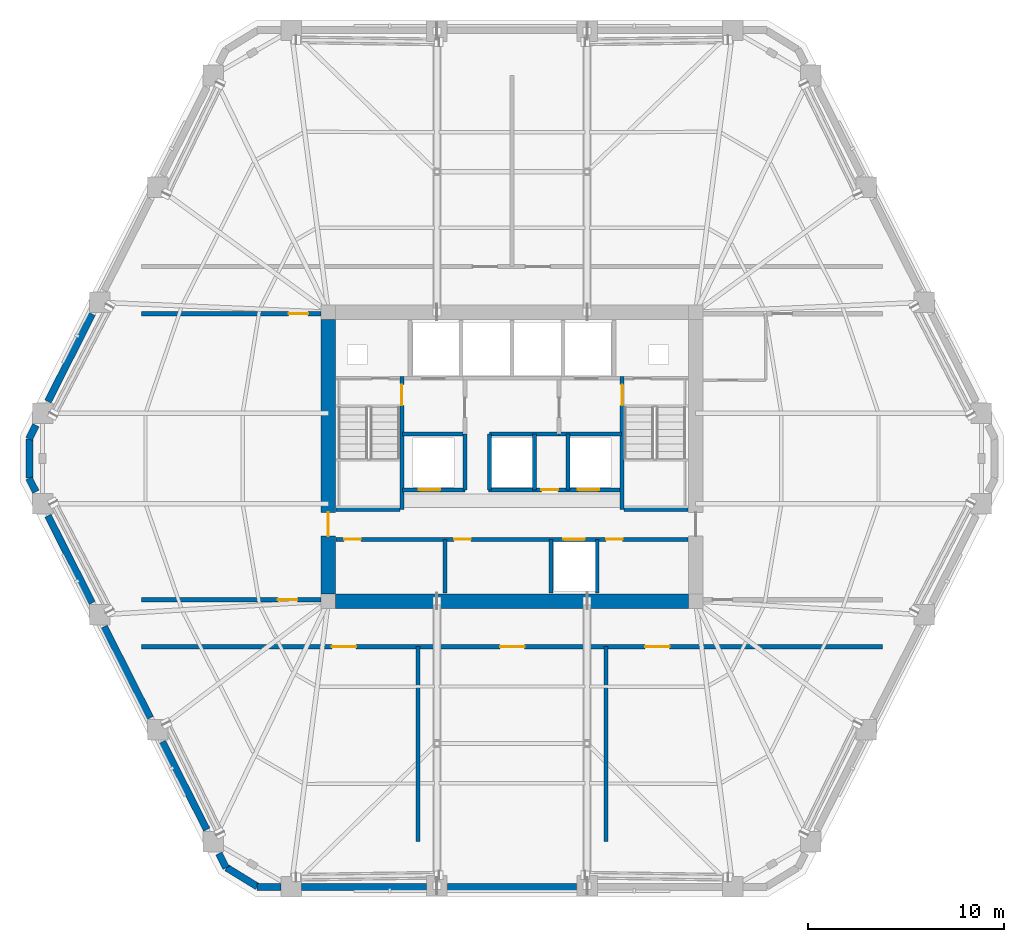
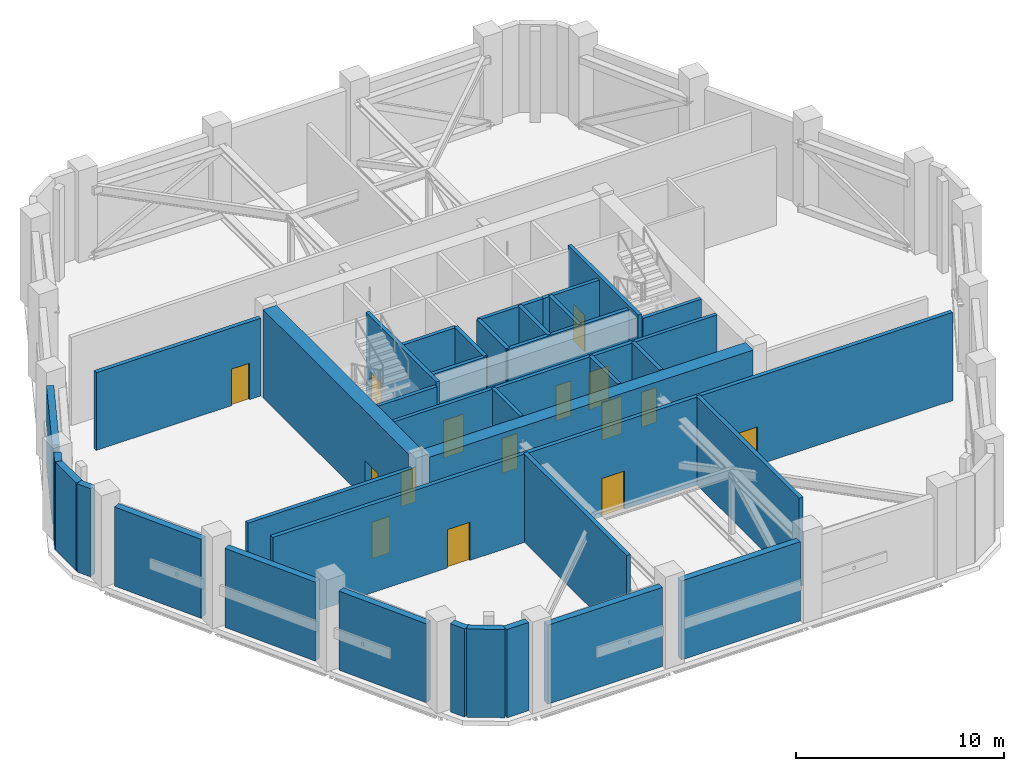
# One storey, part 10 of 15: 36 walls, 15 doors, 15 openings.
"""IFC4 building model written with IfcOpenShell, lengths in metres."""

from ifc_helpers import new_model, si_unit, direction, frame, frame_2d, origin, place, context, subcontext, project, spatial, rectangle, extrude, material, layer, layer_set, type_object, element, fill, save


model = new_model("IFC4")

# Units and contexts
model_context = context("Model", 3, precision=1e-05, world=origin(), true_north=direction((0.0, 1.0)))
body_context = subcontext(model_context, "Body", "Model", "MODEL_VIEW")
ifc_project = project(units=[si_unit("LENGTHUNIT", "METRE"), si_unit("AREAUNIT", "SQUARE_METRE"), si_unit("VOLUMEUNIT", "CUBIC_METRE"), si_unit("PLANEANGLEUNIT", "RADIAN"), si_unit("MASSUNIT", "GRAM", prefix="KILO")], contexts=[model_context])

# Site, building, storey
site_placement = place(None, origin())
site = spatial("IfcSite", under=ifc_project, at=site_placement, CompositionType="ELEMENT")
building_placement = place(site_placement, origin())
building = spatial("IfcBuilding", under=site, at=building_placement, Name="Cinnabar Lancet Tower", CompositionType="ELEMENT")
storey_placement = place(building_placement, frame((0.0, 0.0, 148.10009765625)))
storey = spatial("IfcBuildingStorey", under=building, at=storey_placement, Name="L39", CompositionType="ELEMENT", Elevation=148.10009765625)

# Wall, opening, door
ifc_material_1 = material(Name="Acoustic masonry plant room wall", Category="masonry")
ifc_layer_1 = layer(ifc_material_1, 0.219970703125)
ifc_layer_set_1 = layer_set([ifc_layer_1], Name="Acoustic masonry plant room wall")
wall_type_1 = type_object("IfcWallType", Name="ARC-WL-PLANT-220", PredefinedType="PARTITIONING", material=ifc_layer_set_1)
wall_1_placement = place(storey_placement, frame((13.487060546875, 18.60009765625, 0.0), z_axis=(0.0, 0.0, 1.0), x_axis=(1.0, 0.0, 0.0)))
wall_1 = element("IfcWall", 1, at=wall_1_placement, inside=storey, type_object=wall_type_1, Name="PW-L39-RFWS", PredefinedType="PARTITIONING", context=body_context, shape_type="SweptSolid", body=[
    extrude(rectangle(XDim=9.162841796875, YDim=0.219970703125, at=frame_2d((4.58154296875, 0.0))), origin(), (0.0, 0.0, 1.0), 4.572021484375),
])
opening_1_placement = place(wall_1_placement, frame((6.962890625, 0.0, 0.0)))
opening_1 = element("IfcOpeningElement", 2, at=opening_1_placement, cuts=wall_1, Name="Opening FD-01", PredefinedType="OPENING", context=body_context, shape_type="SweptSolid", body=[
    extrude(rectangle(XDim=1.0, YDim=2.14990234375, at=frame_2d((0.5, 1.074951171875))), frame((0.0, 0.119873046875, 0.0), z_axis=(0.0, -1.0, 0.0), x_axis=(1.0, 0.0, 0.0)), (0.0, 0.0, 1.0), 0.239990234375),
])
ifc_material_2 = material(Name="Fire-rated timber-core lobby door", Category="wood")
door_type_1 = type_object("IfcDoorType", Name="ARC-DR-FFAL", OperationType="NOTDEFINED", PredefinedType="DOOR", material=ifc_material_2)
door_1_placement = place(opening_1_placement, origin())
door_1 = element("IfcDoor", 3, at=door_1_placement, inside=storey, type_object=door_type_1, Name="L39 Plant Corridor Fire Door RWS", OperationType="SINGLE_SWING_LEFT", OverallHeight=2.14990234375, OverallWidth=1.0, PredefinedType="DOOR", context=body_context, shape_type="SweptSolid", body=[
    extrude(rectangle(XDim=1.0, YDim=2.14990234375, at=frame_2d((0.5, 1.074951171875))), frame((0.0, 0.02490234375, 0.0), z_axis=(0.0, -1.0, 0.0), x_axis=(1.0, 0.0, 0.0)), (0.0, 0.0, 1.0), 0.050048828125),
])
fill(opening_1, door_1)

wall_2_placement = place(storey_placement, frame((13.487060546875, 33.199951171875, 0.0), z_axis=(0.0, 0.0, 1.0), x_axis=(1.0, 0.0, 0.0)))
wall_2 = element("IfcWall", 4, at=wall_2_placement, inside=storey, type_object=wall_type_1, Name="PW-L39-RFWN", PredefinedType="PARTITIONING", context=body_context, shape_type="SweptSolid", body=[
    extrude(rectangle(XDim=9.162841796875, YDim=0.219970703125, at=frame_2d((4.58154296875, 0.0))), origin(), (0.0, 0.0, 1.0), 4.572021484375),
])
opening_2_placement = place(wall_2_placement, frame((7.512939453125, 0.0, 0.0)))
opening_2 = element("IfcOpeningElement", 5, at=opening_2_placement, cuts=wall_2, Name="Opening FD-01", PredefinedType="OPENING", context=body_context, shape_type="SweptSolid", body=[
    extrude(rectangle(XDim=1.0, YDim=2.14990234375, at=frame_2d((0.5, 1.074951171875))), frame((0.0, 0.119873046875, 0.0), z_axis=(0.0, -1.0, 0.0), x_axis=(1.0, 0.0, 0.0)), (0.0, 0.0, 1.0), 0.239990234375),
])
door_2_placement = place(opening_2_placement, origin())
door_2 = element("IfcDoor", 6, at=door_2_placement, inside=storey, type_object=door_type_1, Name="L39 Plant Corridor Fire Door RWN", OperationType="SINGLE_SWING_LEFT", OverallHeight=2.14990234375, OverallWidth=1.0, PredefinedType="DOOR", context=body_context, shape_type="SweptSolid", body=[
    extrude(rectangle(XDim=1.0, YDim=2.14990234375, at=frame_2d((0.5, 1.074951171875))), frame((0.0, 0.02490234375, 0.0), z_axis=(0.0, -1.0, 0.0), x_axis=(1.0, 0.0, 0.0)), (0.0, 0.0, 1.0), 0.050048828125),
])
fill(opening_2, door_2)

# Wall, openings, doors
wall_3_placement = place(storey_placement, frame((13.487060546875, 16.199951171875, 0.0), z_axis=(0.0, 0.0, 1.0), x_axis=(1.0, 0.0, 0.0)))
wall_3 = element("IfcWall", 7, at=wall_3_placement, inside=storey, type_object=wall_type_1, Name="PW-L39-SPLS", PredefinedType="PARTITIONING", context=body_context, shape_type="SweptSolid", body=[
    extrude(rectangle(XDim=37.825927734375, YDim=0.219970703125, at=frame_2d((18.9130859375, 0.0))), origin(), (0.0, 0.0, 1.0), 5.18994140625),
])
opening_3_placement = place(wall_3_placement, frame((9.712890625, 0.0, 0.0)))
opening_3 = element("IfcOpeningElement", 8, at=opening_3_placement, cuts=wall_3, Name="Opening PD-01", PredefinedType="OPENING", context=body_context, shape_type="SweptSolid", body=[
    extrude(rectangle(XDim=1.25, YDim=2.25, at=frame_2d((0.625, 1.125))), frame((0.0, 0.119873046875, 0.0), z_axis=(0.0, -1.0, 0.0), x_axis=(1.0, 0.0, 0.0)), (0.0, 0.0, 1.0), 0.239990234375),
])
opening_4_placement = place(wall_3_placement, frame((18.31298828125, 0.0, 0.0)))
opening_4 = element("IfcOpeningElement", 9, at=opening_4_placement, cuts=wall_3, Name="Opening PD-01", PredefinedType="OPENING", context=body_context, shape_type="SweptSolid", body=[
    extrude(rectangle(XDim=1.25, YDim=2.25, at=frame_2d((0.625, 1.125))), frame((0.0, 0.119873046875, 0.0), z_axis=(0.0, -1.0, 0.0), x_axis=(1.0, 0.0, 0.0)), (0.0, 0.0, 1.0), 0.239990234375),
])
opening_5_placement = place(wall_3_placement, frame((25.712890625, 0.0, 0.0)))
opening_5 = element("IfcOpeningElement", 10, at=opening_5_placement, cuts=wall_3, Name="Opening PD-01", PredefinedType="OPENING", context=body_context, shape_type="SweptSolid", body=[
    extrude(rectangle(XDim=1.25, YDim=2.25, at=frame_2d((0.625, 1.125))), frame((0.0, 0.119873046875, 0.0), z_axis=(0.0, -1.0, 0.0), x_axis=(1.0, 0.0, 0.0)), (0.0, 0.0, 1.0), 0.239990234375),
])
ifc_material_3 = material(Name="Louvred fire-rated steel plant room double door", Category="steel")
door_type_2 = type_object("IfcDoorType", Name="ARC-DR-PLANT", OperationType="NOTDEFINED", PredefinedType="DOOR", material=ifc_material_3)
door_3_placement = place(opening_3_placement, origin())
door_3 = element("IfcDoor", 11, at=door_3_placement, inside=storey, type_object=door_type_2, Name="DR-L39-SPL1", OperationType="SINGLE_SWING_LEFT", OverallHeight=2.25, OverallWidth=1.25, PredefinedType="DOOR", context=body_context, shape_type="SweptSolid", body=[
    extrude(rectangle(XDim=1.25, YDim=2.25, at=frame_2d((0.625, 1.125))), frame((0.0, 0.02490234375, 0.0), z_axis=(0.0, -1.0, 0.0), x_axis=(1.0, 0.0, 0.0)), (0.0, 0.0, 1.0), 0.050048828125),
])
fill(opening_3, door_3)
door_4_placement = place(opening_4_placement, origin())
door_4 = element("IfcDoor", 12, at=door_4_placement, inside=storey, type_object=door_type_2, Name="DR-L39-SPL2", OperationType="SINGLE_SWING_LEFT", OverallHeight=2.25, OverallWidth=1.25, PredefinedType="DOOR", context=body_context, shape_type="SweptSolid", body=[
    extrude(rectangle(XDim=1.25, YDim=2.25, at=frame_2d((0.625, 1.125))), frame((0.0, 0.02490234375, 0.0), z_axis=(0.0, -1.0, 0.0), x_axis=(1.0, 0.0, 0.0)), (0.0, 0.0, 1.0), 0.050048828125),
])
fill(opening_4, door_4)
door_5_placement = place(opening_5_placement, origin())
door_5 = element("IfcDoor", 13, at=door_5_placement, inside=storey, type_object=door_type_2, Name="DR-L39-SPL3", OperationType="SINGLE_SWING_LEFT", OverallHeight=2.25, OverallWidth=1.25, PredefinedType="DOOR", context=body_context, shape_type="SweptSolid", body=[
    extrude(rectangle(XDim=1.25, YDim=2.25, at=frame_2d((0.625, 1.125))), frame((0.0, 0.02490234375, 0.0), z_axis=(0.0, -1.0, 0.0), x_axis=(1.0, 0.0, 0.0)), (0.0, 0.0, 1.0), 0.050048828125),
])
fill(opening_5, door_5)

# Walls
for number, where, z_axis, x_axis, name in (
    (14, (27.60009765625, 6.25, 0.0), (0.0, 0.0, 1.0), (0.0, 1.0, 0.0), "PW-L39-SDIV-27"),
    (15, (37.199951171875, 6.25, 0.0), (0.0, 0.0, 1.0), (0.0, 1.0, 0.0), "PW-L39-SDIV-37"),
):
    element("IfcWall", number, at=place(storey_placement, frame(where, z_axis=z_axis, x_axis=x_axis)), inside=storey, type_object=wall_type_1, Name=name, PredefinedType="PARTITIONING", context=body_context, shape_type="SweptSolid", body=[
        extrude(rectangle(XDim=9.949951171875, YDim=0.219970703125, at=frame_2d((4.97509765625, 0.0))), origin(), (0.0, 0.0, 1.0), 5.18994140625),
    ])
ifc_material_4 = material(Name="Autoclaved aerated concrete blockwork", Category="masonry")
ifc_layer_2 = layer(ifc_material_4, 0.199951171875)
ifc_layer_set_2 = layer_set([ifc_layer_2], Name="Autoclaved aerated concrete blockwork")
wall_type_2 = type_object("IfcWallType", Name="ARC-WL-SHAFT-200", PredefinedType="PLUMBINGWALL", material=ifc_layer_set_2)
for number, where, z_axis, x_axis, name in (
    (16, (23.405029296875, 23.199951171875, 0.0), (0.0, 0.0, 1.0), (1.0, 0.0, 0.0), "CW-ST1S-L39"),
    (17, (38.125, 23.199951171875, 0.0), (0.0, 0.0, 1.0), (1.0, 0.0, 0.0), "CW-ST2S-L39"),
):
    element("IfcWall", number, at=place(storey_placement, frame(where, z_axis=z_axis, x_axis=x_axis)), inside=storey, type_object=wall_type_2, Name=name, PredefinedType="PLUMBINGWALL", context=body_context, shape_type="SweptSolid", body=[
        extrude(rectangle(XDim=3.27001953125, YDim=0.199951171875, at=frame_2d((1.635009765625, 0.0))), origin(), (0.0, 0.0, 1.0), 5.18994140625),
    ])
for number, where, z_axis, x_axis, name in (
    (18, (26.800048828125, 27.050048828125, 0.0), (0.0, 0.0, 1.0), (1.0, 0.0, 0.0), "CW-FF1S-L39"),
    (19, (34.800048828125, 27.050048828125, 0.0), (0.0, 0.0, 1.0), (1.0, 0.0, 0.0), "CW-FF2S-L39"),
):
    element("IfcWall", number, at=place(storey_placement, frame(where, z_axis=z_axis, x_axis=x_axis)), inside=storey, type_object=wall_type_2, Name=name, PredefinedType="PLUMBINGWALL", context=body_context, shape_type="SweptSolid", body=[
        extrude(rectangle(XDim=3.199951171875, YDim=0.199951171875, at=frame_2d((1.60009765625, 0.0))), origin(), (0.0, 0.0, 1.0), 5.18994140625),
    ])

# Wall, opening, door
wall_4_placement = place(storey_placement, frame((26.800048828125, 24.199951171875, 0.0), z_axis=(0.0, 0.0, 1.0), x_axis=(1.0, 0.0, 0.0)))
wall_4 = element("IfcWall", 20, at=wall_4_placement, inside=storey, type_object=wall_type_2, Name="CW-PL5S-L39", PredefinedType="PLUMBINGWALL", context=body_context, shape_type="SweptSolid", body=[
    extrude(rectangle(XDim=3.199951171875, YDim=0.199951171875, at=frame_2d((1.60009765625, 0.0))), origin(), (0.0, 0.0, 1.0), 5.18994140625),
])
opening_6_placement = place(wall_4_placement, frame((0.85009765625, 0.0, 0.0)))
opening_6 = element("IfcOpeningElement", 21, at=opening_6_placement, cuts=wall_4, Name="Opening LD-01", PredefinedType="OPENING", context=body_context, shape_type="SweptSolid", body=[
    extrude(rectangle(XDim=1.10009765625, YDim=2.199951171875, at=frame_2d((0.550048828125, 1.10009765625))), frame((0.0, 0.10986328125, 0.0), z_axis=(0.0, -1.0, 0.0), x_axis=(1.0, 0.0, 0.0)), (0.0, 0.0, 1.0), 0.219970703125),
])
ifc_material_5 = material(Name="Brushed stainless steel sliding lift door", Category="steel")
door_type_3 = type_object("IfcDoorType", Name="ARC-DR-LD-PASS", OperationType="NOTDEFINED", PredefinedType="DOOR", material=ifc_material_5)
door_6_placement = place(opening_6_placement, origin())
door_6 = element("IfcDoor", 22, at=door_6_placement, inside=storey, type_object=door_type_3, Name="L39 Lift PL-5 Landing Door", OperationType="DOUBLE_DOOR_SLIDING", OverallHeight=2.199951171875, OverallWidth=1.10009765625, PredefinedType="DOOR", context=body_context, shape_type="SweptSolid", body=[
    extrude(rectangle(XDim=1.10009765625, YDim=2.199951171875, at=frame_2d((0.550048828125, 1.10009765625))), frame((0.0, 0.02490234375, 0.0), z_axis=(0.0, -1.0, 0.0), x_axis=(1.0, 0.0, 0.0)), (0.0, 0.0, 1.0), 0.050048828125),
])
fill(opening_6, door_6)

# Wall
wall_5_placement = place(storey_placement, frame((30.0, 24.199951171875, 0.0), z_axis=(0.0, 0.0, 1.0), x_axis=(0.0, 1.0, 0.0)))
element("IfcWall", 23, at=wall_5_placement, inside=storey, type_object=wall_type_2, Name="CW-PL5E-L39", PredefinedType="PLUMBINGWALL", context=body_context, shape_type="SweptSolid", body=[
    extrude(rectangle(XDim=2.85009765625, YDim=0.199951171875, at=frame_2d((1.425048828125, 0.0))), origin(), (0.0, 0.0, 1.0), 5.18994140625),
])

# Wall, openings, doors
wall_6_placement = place(storey_placement, frame((31.199951171875, 24.199951171875, 0.0), z_axis=(0.0, 0.0, 1.0), x_axis=(1.0, 0.0, 0.0)))
wall_6 = element("IfcWall", 24, at=wall_6_placement, inside=storey, type_object=wall_type_2, Name="CW-PL96S-L39", PredefinedType="PLUMBINGWALL", context=body_context, shape_type="SweptSolid", body=[
    extrude(rectangle(XDim=6.800048828125, YDim=0.199951171875, at=frame_2d((3.39990234375, 0.0))), origin(), (0.0, 0.0, 1.0), 5.18994140625),
])
opening_7_placement = place(wall_6_placement, frame((2.699951171875, 0.0, 0.0)))
opening_7 = element("IfcOpeningElement", 25, at=opening_7_placement, cuts=wall_6, Name="Opening PD-02", PredefinedType="OPENING", context=body_context, shape_type="SweptSolid", body=[
    extrude(rectangle(XDim=0.85009765625, YDim=2.050048828125, at=frame_2d((0.425048828125, 1.02490234375))), frame((0.0, 0.10986328125, 0.0), z_axis=(0.0, -1.0, 0.0), x_axis=(1.0, 0.0, 0.0)), (0.0, 0.0, 1.0), 0.219970703125),
])
opening_8_placement = place(wall_6_placement, frame((4.550048828125, 0.0, 0.0)))
opening_8 = element("IfcOpeningElement", 26, at=opening_8_placement, cuts=wall_6, Name="Opening LD-01", PredefinedType="OPENING", context=body_context, shape_type="SweptSolid", body=[
    extrude(rectangle(XDim=1.10009765625, YDim=2.199951171875, at=frame_2d((0.550048828125, 1.10009765625))), frame((0.0, 0.10986328125, 0.0), z_axis=(0.0, -1.0, 0.0), x_axis=(1.0, 0.0, 0.0)), (0.0, 0.0, 1.0), 0.219970703125),
])
door_7_placement = place(opening_8_placement, origin())
door_7 = element("IfcDoor", 27, at=door_7_placement, inside=storey, type_object=door_type_3, Name="L39 Lift PL-6 Landing Door", OperationType="DOUBLE_DOOR_SLIDING", OverallHeight=2.199951171875, OverallWidth=1.10009765625, PredefinedType="DOOR", context=body_context, shape_type="SweptSolid", body=[
    extrude(rectangle(XDim=1.10009765625, YDim=2.199951171875, at=frame_2d((0.550048828125, 1.10009765625))), frame((0.0, 0.02490234375, 0.0), z_axis=(0.0, -1.0, 0.0), x_axis=(1.0, 0.0, 0.0)), (0.0, 0.0, 1.0), 0.050048828125),
])
fill(opening_8, door_7)
ifc_material_6 = material(Name="Fire-rated steel riser access door", Category="steel")
door_type_4 = type_object("IfcDoorType", Name="ARC-DR-RISER", OperationType="NOTDEFINED", PredefinedType="DOOR", material=ifc_material_6)
door_8_placement = place(opening_7_placement, origin())
door_8 = element("IfcDoor", 28, at=door_8_placement, inside=storey, type_object=door_type_4, Name="L39 BMS Closet Door", OperationType="SINGLE_SWING_LEFT", OverallHeight=2.050048828125, OverallWidth=0.85009765625, PredefinedType="DOOR", context=body_context, shape_type="SweptSolid", body=[
    extrude(rectangle(XDim=0.85009765625, YDim=2.050048828125, at=frame_2d((0.425048828125, 1.02490234375))), frame((0.0, 0.02490234375, 0.0), z_axis=(0.0, -1.0, 0.0), x_axis=(1.0, 0.0, 0.0)), (0.0, 0.0, 1.0), 0.050048828125),
])
fill(opening_7, door_8)

# Walls
for number, where, z_axis, x_axis, name in (
    (29, (31.25, 24.199951171875, 0.0), (0.0, 0.0, 1.0), (0.0, 1.0, 0.0), "CW-PL9W-L39"),
    (30, (33.550048828125, 24.199951171875, 0.0), (0.0, 0.0, 1.0), (0.0, 1.0, 0.0), "CW-PL9E-L39"),
    (31, (35.25, 24.199951171875, 0.0), (0.0, 0.0, 1.0), (0.0, 1.0, 0.0), "CW-PL6W-L39"),
):
    element("IfcWall", number, at=place(storey_placement, frame(where, z_axis=z_axis, x_axis=x_axis)), inside=storey, type_object=wall_type_2, Name=name, PredefinedType="PLUMBINGWALL", context=body_context, shape_type="SweptSolid", body=[
        extrude(rectangle(XDim=2.85009765625, YDim=0.199951171875, at=frame_2d((1.425048828125, 0.0))), origin(), (0.0, 0.0, 1.0), 5.18994140625),
    ])
wall_7_placement = place(storey_placement, frame((31.25, 27.050048828125, 0.0), z_axis=(0.0, 0.0, 1.0), x_axis=(1.0, 0.0, 0.0)))
element("IfcWall", 32, at=wall_7_placement, inside=storey, type_object=wall_type_2, Name="CW-PL96N-L39", PredefinedType="PLUMBINGWALL", context=body_context, shape_type="SweptSolid", body=[
    extrude(rectangle(XDim=3.550048828125, YDim=0.199951171875, at=frame_2d((1.77490234375, 0.0))), origin(), (0.0, 0.0, 1.0), 5.18994140625),
])

# Wall, openings, doors
wall_8_placement = place(storey_placement, frame((23.419921875, 21.679931640625, 0.0), z_axis=(0.0, 0.0, 1.0), x_axis=(1.0, 0.0, 0.0)))
wall_8 = element("IfcWall", 33, at=wall_8_placement, inside=storey, type_object=wall_type_2, Name="CW-SBANDN-L39", PredefinedType="PLUMBINGWALL", context=body_context, shape_type="SweptSolid", body=[
    extrude(rectangle(XDim=17.9599609375, YDim=0.199951171875, at=frame_2d((8.97998046875, 0.0))), origin(), (0.0, 0.0, 1.0), 5.18994140625),
])
opening_9_placement = place(wall_8_placement, frame((11.60009765625, 0.0, 0.0)))
opening_9 = element("IfcOpeningElement", 34, at=opening_9_placement, cuts=wall_8, Name="Opening LD-01", PredefinedType="OPENING", context=body_context, shape_type="SweptSolid", body=[
    extrude(rectangle(XDim=1.10009765625, YDim=2.199951171875, at=frame_2d((0.550048828125, 1.10009765625))), frame((0.0, 0.10986328125, 0.0), z_axis=(0.0, -1.0, 0.0), x_axis=(1.0, 0.0, 0.0)), (0.0, 0.0, 1.0), 0.219970703125),
])
opening_10_placement = place(wall_8_placement, frame((0.409912109375, 0.0, 0.0)))
opening_10 = element("IfcOpeningElement", 35, at=opening_10_placement, cuts=wall_8, Name="Opening PD-02", PredefinedType="OPENING", context=body_context, shape_type="SweptSolid", body=[
    extrude(rectangle(XDim=0.85009765625, YDim=2.050048828125, at=frame_2d((0.425048828125, 1.02490234375))), frame((0.0, 0.10986328125, 0.0), z_axis=(0.0, -1.0, 0.0), x_axis=(1.0, 0.0, 0.0)), (0.0, 0.0, 1.0), 0.219970703125),
])
opening_11_placement = place(wall_8_placement, frame((6.030029296875, 0.0, 0.0)))
opening_11 = element("IfcOpeningElement", 36, at=opening_11_placement, cuts=wall_8, Name="Opening PD-02", PredefinedType="OPENING", context=body_context, shape_type="SweptSolid", body=[
    extrude(rectangle(XDim=0.85009765625, YDim=2.050048828125, at=frame_2d((0.425048828125, 1.02490234375))), frame((0.0, 0.10986328125, 0.0), z_axis=(0.0, -1.0, 0.0), x_axis=(1.0, 0.0, 0.0)), (0.0, 0.0, 1.0), 0.219970703125),
])
opening_12_placement = place(wall_8_placement, frame((13.780029296875, 0.0, 0.0)))
opening_12 = element("IfcOpeningElement", 37, at=opening_12_placement, cuts=wall_8, Name="Opening PD-02", PredefinedType="OPENING", context=body_context, shape_type="SweptSolid", body=[
    extrude(rectangle(XDim=0.85009765625, YDim=2.050048828125, at=frame_2d((0.425048828125, 1.02490234375))), frame((0.0, 0.10986328125, 0.0), z_axis=(0.0, -1.0, 0.0), x_axis=(1.0, 0.0, 0.0)), (0.0, 0.0, 1.0), 0.219970703125),
])
door_9_placement = place(opening_9_placement, origin())
door_9 = element("IfcDoor", 38, at=door_9_placement, inside=storey, type_object=door_type_3, Name="L39 Lift PL-4 Landing Door", OperationType="DOUBLE_DOOR_SLIDING", OverallHeight=2.199951171875, OverallWidth=1.10009765625, PredefinedType="DOOR", context=body_context, shape_type="SweptSolid", body=[
    extrude(rectangle(XDim=1.10009765625, YDim=2.199951171875, at=frame_2d((0.550048828125, 1.10009765625))), frame((0.0, 0.02490234375, 0.0), z_axis=(0.0, -1.0, 0.0), x_axis=(1.0, 0.0, 0.0)), (0.0, 0.0, 1.0), 0.050048828125),
])
fill(opening_9, door_9)
door_10_placement = place(opening_10_placement, origin())
door_10 = element("IfcDoor", 39, at=door_10_placement, inside=storey, type_object=door_type_4, Name="DR-L39-MREC1", OperationType="SINGLE_SWING_LEFT", OverallHeight=2.050048828125, OverallWidth=0.85009765625, PredefinedType="DOOR", context=body_context, shape_type="SweptSolid", body=[
    extrude(rectangle(XDim=0.85009765625, YDim=2.050048828125, at=frame_2d((0.425048828125, 1.02490234375))), frame((0.0, 0.02490234375, 0.0), z_axis=(0.0, -1.0, 0.0), x_axis=(1.0, 0.0, 0.0)), (0.0, 0.0, 1.0), 0.050048828125),
])
fill(opening_10, door_10)
door_11_placement = place(opening_11_placement, origin())
door_11 = element("IfcDoor", 40, at=door_11_placement, inside=storey, type_object=door_type_4, Name="DR-L39-MREC2", OperationType="SINGLE_SWING_RIGHT", OverallHeight=2.050048828125, OverallWidth=0.85009765625, PredefinedType="DOOR", context=body_context, shape_type="SweptSolid", body=[
    extrude(rectangle(XDim=0.85009765625, YDim=2.050048828125, at=frame_2d((0.425048828125, 1.02490234375))), frame((0.0, 0.02490234375, 0.0), z_axis=(0.0, -1.0, 0.0), x_axis=(1.0, 0.0, 0.0)), (0.0, 0.0, 1.0), 0.050048828125),
])
fill(opening_11, door_11)
door_12_placement = place(opening_12_placement, origin())
door_12 = element("IfcDoor", 41, at=door_12_placement, inside=storey, type_object=door_type_4, Name="DR-L39-MREC3", OperationType="SINGLE_SWING_LEFT", OverallHeight=2.050048828125, OverallWidth=0.85009765625, PredefinedType="DOOR", context=body_context, shape_type="SweptSolid", body=[
    extrude(rectangle(XDim=0.85009765625, YDim=2.050048828125, at=frame_2d((0.425048828125, 1.02490234375))), frame((0.0, 0.02490234375, 0.0), z_axis=(0.0, -1.0, 0.0), x_axis=(1.0, 0.0, 0.0)), (0.0, 0.0, 1.0), 0.050048828125),
])
fill(opening_12, door_12)

# Walls
for number, where, z_axis, x_axis, name in (
    (42, (34.39990234375, 18.949951171875, 0.0), (0.0, 0.0, 1.0), (0.0, 1.0, 0.0), "CW-SB-3440-L39"),
    (43, (36.75, 18.949951171875, 0.0), (0.0, 0.0, 1.0), (0.0, 1.0, 0.0), "CW-SB-3675-L39"),
    (44, (28.989990234375, 18.949951171875, 0.0), (0.0, 0.0, 1.0), (0.0, 1.0, 0.0), "CW-SB-2899-L39"),
):
    element("IfcWall", number, at=place(storey_placement, frame(where, z_axis=z_axis, x_axis=x_axis)), inside=storey, type_object=wall_type_2, Name=name, PredefinedType="PLUMBINGWALL", context=body_context, shape_type="SweptSolid", body=[
        extrude(rectangle(XDim=2.72998046875, YDim=0.199951171875, at=frame_2d((1.364990234375, 0.0))), origin(), (0.0, 0.0, 1.0), 5.18994140625),
    ])
ifc_material_7 = material(Name="Dark charcoal engineering brick", Category="masonry")
ifc_layer_3 = layer(ifc_material_7, 0.360107421875)
ifc_layer_set_3 = layer_set([ifc_layer_3], Name="Dark charcoal engineering brick")
wall_type_3 = type_object("IfcWallType", Name="ENV-WL-BRK-CHR-360", PredefinedType="STANDARD", material=ifc_layer_set_3)
wall_9_placement = place(storey_placement, frame((17.8310546875, 4.9208984375, 0.0), z_axis=(0.0, 0.0, 1.0), x_axis=(0.852185740604, -0.523239394075, 0.0)))
element("IfcWall", 45, at=wall_9_placement, inside=storey, type_object=wall_type_3, Name="L39 Chamfered Corner Brick Pier 1.1", PredefinedType="STANDARD", context=body_context, shape_type="SweptSolid", body=[
    extrude(rectangle(XDim=1.842041015625, YDim=0.360107421875, at=frame_2d((0.9208984375, 0.0))), origin(), (0.0, 0.0, 1.0), 5.18994140625),
])
wall_10_placement = place(storey_placement, frame((7.76708984375, 26.7939453125, 0.0), z_axis=(0.0, 0.0, 1.0), x_axis=(0.0, -1.0, 0.0)))
element("IfcWall", 46, at=wall_10_placement, inside=storey, type_object=wall_type_3, Name="L39 Chamfered Corner Brick Pier 6.1", PredefinedType="STANDARD", context=body_context, shape_type="SweptSolid", body=[
    extrude(rectangle(XDim=1.988037109375, YDim=0.360107421875, at=frame_2d((0.994140625, 0.0))), origin(), (0.0, 0.0, 1.0), 5.18994140625),
])
wall_11_placement = place(storey_placement, frame((19.39501953125, 3.929931640625, 0.0), z_axis=(0.0, 0.0, 1.0), x_axis=(1.0, 0.0, 0.0)))
element("IfcWall", 47, at=wall_11_placement, inside=storey, type_object=wall_type_3, Name="L39 Face 1 Masonry Bay Wall 1", PredefinedType="STANDARD", context=body_context, shape_type="SweptSolid", body=[
    extrude(rectangle(XDim=1.20703125, YDim=0.360107421875, at=frame_2d((0.603515625, 0.0))), origin(), (0.0, 0.0, 1.0), 5.18994140625),
])
wall_12_placement = place(storey_placement, frame((21.659912109375, 3.929931640625, 0.0), z_axis=(0.0, 0.0, 1.0), x_axis=(1.0, 0.0, 0.0)))
element("IfcWall", 48, at=wall_12_placement, inside=storey, type_object=wall_type_3, Name="L39 Face 1 Masonry Bay Wall 2", PredefinedType="STANDARD", context=body_context, shape_type="SweptSolid", body=[
    extrude(rectangle(XDim=6.379150390625, YDim=0.360107421875, at=frame_2d((3.189453125, 0.0))), origin(), (0.0, 0.0, 1.0), 4.64697265625),
])
wall_13_placement = place(storey_placement, frame((29.096923828125, 3.929931640625, 0.0), z_axis=(0.0, 0.0, 1.0), x_axis=(1.0, 0.0, 0.0)))
element("IfcWall", 49, at=wall_13_placement, inside=storey, type_object=wall_type_3, Name="L39 Face 1 Masonry Bay Wall 3", PredefinedType="STANDARD", context=body_context, shape_type="SweptSolid", body=[
    extrude(rectangle(XDim=6.60595703125, YDim=0.360107421875, at=frame_2d((3.302978515625, 0.0))), origin(), (0.0, 0.0, 1.0), 4.64697265625),
])
wall_14_placement = place(storey_placement, frame((10.968017578125, 33.172119140625, 0.0), z_axis=(0.0, 0.0, 1.0), x_axis=(-0.45143530451, -0.892303852867, 0.0)))
element("IfcWall", 50, at=wall_14_placement, inside=storey, type_object=wall_type_3, Name="L39 Face 5 Masonry Bay Wall 4", PredefinedType="STANDARD", context=body_context, shape_type="SweptSolid", body=[
    extrude(rectangle(XDim=4.990478515625, YDim=0.360107421875, at=frame_2d((2.4951171875, 0.0))), origin(), (0.0, 0.0, 1.0), 4.64697265625),
])
for number, where, z_axis, x_axis, name in (
    (51, (8.097900390625, 27.4990234375, 0.0), (0.0, 0.0, 1.0), (-0.451080269271, -0.892483383977, 0.0), "L39 Face 5 Masonry Bay Wall 5"),
    (52, (7.7451171875, 24.799072265625, 0.0), (0.0, 0.0, 1.0), (0.451080269271, -0.892483383977, 0.0), "L39 Face 6 Masonry Bay Wall 1"),
):
    element("IfcWall", number, at=place(storey_placement, frame(where, z_axis=z_axis, x_axis=x_axis)), inside=storey, type_object=wall_type_3, Name=name, PredefinedType="STANDARD", context=body_context, shape_type="SweptSolid", body=[
        extrude(rectangle(XDim=0.781982421875, YDim=0.360107421875, at=frame_2d((0.39111328125, 0.0))), origin(), (0.0, 0.0, 1.0), 5.18994140625),
    ])
wall_15_placement = place(storey_placement, frame((8.715087890625, 22.881103515625, 0.0), z_axis=(0.0, 0.0, 1.0), x_axis=(0.45143530451, -0.892303852867, 0.0)))
element("IfcWall", 53, at=wall_15_placement, inside=storey, type_object=wall_type_3, Name="L39 Face 6 Masonry Bay Wall 2", PredefinedType="STANDARD", context=body_context, shape_type="SweptSolid", body=[
    extrude(rectangle(XDim=4.990478515625, YDim=0.360107421875, at=frame_2d((2.4951171875, 0.0))), origin(), (0.0, 0.0, 1.0), 4.64697265625),
])
wall_16_placement = place(storey_placement, frame((11.58203125, 17.214111328125, 0.0), z_axis=(0.0, 0.0, 1.0), x_axis=(0.451422282023, -0.892310441098, 0.0)))
element("IfcWall", 54, at=wall_16_placement, inside=storey, type_object=wall_type_3, Name="L39 Face 6 Masonry Bay Wall 3", PredefinedType="STANDARD", context=body_context, shape_type="SweptSolid", body=[
    extrude(rectangle(XDim=5.214599609375, YDim=0.360107421875, at=frame_2d((2.607421875, 0.0))), origin(), (0.0, 0.0, 1.0), 4.64697265625),
])
wall_17_placement = place(storey_placement, frame((14.551025390625, 11.344970703125, 0.0), z_axis=(0.0, 0.0, 1.0), x_axis=(0.451420992602, -0.892311093419, 0.0)))
element("IfcWall", 55, at=wall_17_placement, inside=storey, type_object=wall_type_3, Name="L39 Face 6 Masonry Bay Wall 4", PredefinedType="STANDARD", context=body_context, shape_type="SweptSolid", body=[
    extrude(rectangle(XDim=5.03076171875, YDim=0.360107421875, at=frame_2d((2.515380859375, 0.0))), origin(), (0.0, 0.0, 1.0), 4.64697265625),
])
wall_18_placement = place(storey_placement, frame((17.43994140625, 5.635986328125, 0.0), z_axis=(0.0, 0.0, 1.0), x_axis=(0.451257232792, -0.892393920785, 0.0)))
element("IfcWall", 56, at=wall_18_placement, inside=storey, type_object=wall_type_3, Name="L39 Face 6 Masonry Bay Wall 5", PredefinedType="STANDARD", context=body_context, shape_type="SweptSolid", body=[
    extrude(rectangle(XDim=0.8203125, YDim=0.360107421875, at=frame_2d((0.41015625, 0.0))), origin(), (0.0, 0.0, 1.0), 5.18994140625),
])
ifc_material_8 = material(Name="Concrete C70/85", Category="concrete")
ifc_layer_4 = layer(ifc_material_8, 0.75)
ifc_layer_set_4 = layer_set([ifc_layer_4], Name="Concrete C70/85")
wall_type_4 = type_object("IfcWallType", Name="STR-WL-CORE-750", PredefinedType="SHEAR", material=ifc_layer_set_4)
wall_19_placement = place(storey_placement, frame((23.39990234375, 18.52490234375, 0.0), z_axis=(0.0, 0.0, 1.0), x_axis=(1.0, 0.0, 0.0)))
element("IfcWall", 57, at=wall_19_placement, inside=storey, type_object=wall_type_4, Name="L39 Core Shear Wall S", PredefinedType="SHEAR", context=body_context, shape_type="SweptSolid", body=[
    extrude(rectangle(XDim=18.0, YDim=0.75, at=frame_2d((9.0, 0.0))), origin(), (0.0, 0.0, 1.0), 5.18994140625),
])

# Wall, opening, door
wall_20_placement = place(storey_placement, frame((23.02490234375, 18.89990234375, 0.0), z_axis=(0.0, 0.0, 1.0), x_axis=(0.0, 1.0, 0.0)))
wall_20 = element("IfcWall", 58, at=wall_20_placement, inside=storey, type_object=wall_type_4, Name="L39 Core Shear Wall W", PredefinedType="SHEAR", context=body_context, shape_type="SweptSolid", body=[
    extrude(rectangle(XDim=14.0, YDim=0.75, at=frame_2d((7.0, 0.0))), origin(), (0.0, 0.0, 1.0), 5.18994140625),
])
opening_13_placement = place(wall_20_placement, frame((2.93994140625, 0.0, 0.0)))
opening_13 = element("IfcOpeningElement", 59, at=opening_13_placement, cuts=wall_20, Name="Opening FD-02", PredefinedType="OPENING", context=body_context, shape_type="SweptSolid", body=[
    extrude(rectangle(XDim=1.219970703125, YDim=2.25, at=frame_2d((0.60986328125, 1.125))), frame((0.0, 0.385009765625, 0.0), z_axis=(0.0, -1.0, 0.0), x_axis=(1.0, 0.0, 0.0)), (0.0, 0.0, 1.0), 0.77001953125),
])
ifc_material_9 = material(Name="Fire-rated double-vision core portal door", Category="wood")
door_type_5 = type_object("IfcDoorType", Name="ARC-DR-CPORT", OperationType="NOTDEFINED", PredefinedType="DOOR", material=ifc_material_9)
door_13_placement = place(opening_13_placement, origin())
door_13 = element("IfcDoor", 60, at=door_13_placement, inside=storey, type_object=door_type_5, Name="L39 West Core Lobby Fire Door", OperationType="SINGLE_SWING_RIGHT", OverallHeight=2.25, OverallWidth=1.219970703125, PredefinedType="DOOR", context=body_context, shape_type="SweptSolid", body=[
    extrude(rectangle(XDim=1.219970703125, YDim=2.25, at=frame_2d((0.60986328125, 1.125))), frame((0.0, 0.02490234375, 0.0), z_axis=(0.0, -1.0, 0.0), x_axis=(1.0, 0.0, 0.0)), (0.0, 0.0, 1.0), 0.050048828125),
])
fill(opening_13, door_13)

ifc_material_10 = material(Name="Concrete C50/60", Category="concrete")
ifc_layer_5 = layer(ifc_material_10, 0.199951171875)
ifc_layer_set_5 = layer_set([ifc_layer_5], Name="Concrete C50/60")
wall_type_5 = type_object("IfcWallType", Name="STR-WL-STAIR-200", PredefinedType="SHEAR", material=ifc_layer_set_5)
wall_21_placement = place(storey_placement, frame((26.780029296875, 23.199951171875, 0.0), z_axis=(0.0, 0.0, 1.0), x_axis=(0.0, 1.0, 0.0)))
wall_21 = element("IfcWall", 61, at=wall_21_placement, inside=storey, type_object=wall_type_5, Name="L39 Stair ST-1 Structural Enclosure Wall", PredefinedType="SHEAR", context=body_context, shape_type="SweptSolid", body=[
    extrude(rectangle(XDim=6.780029296875, YDim=0.199951171875, at=frame_2d((3.39013671875, 0.0))), origin(), (0.0, 0.0, 1.0), 5.39990234375),
])
opening_14_placement = place(wall_21_placement, frame((5.320068359375, 0.0, 0.0)))
opening_14 = element("IfcOpeningElement", 62, at=opening_14_placement, cuts=wall_21, Name="Opening SD-01", PredefinedType="OPENING", context=body_context, shape_type="SweptSolid", body=[
    extrude(rectangle(XDim=1.050048828125, YDim=2.14990234375, at=frame_2d((0.52490234375, 1.074951171875))), frame((0.0, 0.10986328125, 0.0), z_axis=(0.0, -1.0, 0.0), x_axis=(1.0, 0.0, 0.0)), (0.0, 0.0, 1.0), 0.219970703125),
])
ifc_material_11 = material(Name="Fire-rated steel stair exit door", Category="steel")
door_type_6 = type_object("IfcDoorType", Name="ARC-DR-STAIR", OperationType="NOTDEFINED", PredefinedType="DOOR", material=ifc_material_11)
door_14_placement = place(opening_14_placement, origin())
door_14 = element("IfcDoor", 63, at=door_14_placement, inside=storey, type_object=door_type_6, Name="L39 Stair ST-1 Fire Door", OperationType="SINGLE_SWING_LEFT", OverallHeight=2.14990234375, OverallWidth=1.050048828125, PredefinedType="DOOR", context=body_context, shape_type="SweptSolid", body=[
    extrude(rectangle(XDim=1.050048828125, YDim=2.14990234375, at=frame_2d((0.52490234375, 1.074951171875))), frame((0.0, 0.02490234375, 0.0), z_axis=(0.0, -1.0, 0.0), x_axis=(1.0, 0.0, 0.0)), (0.0, 0.0, 1.0), 0.050048828125),
])
fill(opening_14, door_14)

wall_22_placement = place(storey_placement, frame((38.02001953125, 23.199951171875, 0.0), z_axis=(0.0, 0.0, 1.0), x_axis=(0.0, 1.0, 0.0)))
wall_22 = element("IfcWall", 64, at=wall_22_placement, inside=storey, type_object=wall_type_5, Name="L39 Stair ST-2 Structural Enclosure Wall", PredefinedType="SHEAR", context=body_context, shape_type="SweptSolid", body=[
    extrude(rectangle(XDim=6.780029296875, YDim=0.199951171875, at=frame_2d((3.39013671875, 0.0))), origin(), (0.0, 0.0, 1.0), 5.39990234375),
])
opening_15_placement = place(wall_22_placement, frame((5.320068359375, 0.0, 0.0)))
opening_15 = element("IfcOpeningElement", 65, at=opening_15_placement, cuts=wall_22, Name="Opening SD-01", PredefinedType="OPENING", context=body_context, shape_type="SweptSolid", body=[
    extrude(rectangle(XDim=1.050048828125, YDim=2.14990234375, at=frame_2d((0.52490234375, 1.074951171875))), frame((0.0, 0.10986328125, 0.0), z_axis=(0.0, -1.0, 0.0), x_axis=(1.0, 0.0, 0.0)), (0.0, 0.0, 1.0), 0.219970703125),
])
door_15_placement = place(opening_15_placement, origin())
door_15 = element("IfcDoor", 66, at=door_15_placement, inside=storey, type_object=door_type_6, Name="L39 Stair ST-2 Fire Door", OperationType="SINGLE_SWING_RIGHT", OverallHeight=2.14990234375, OverallWidth=1.050048828125, PredefinedType="DOOR", context=body_context, shape_type="SweptSolid", body=[
    extrude(rectangle(XDim=1.050048828125, YDim=2.14990234375, at=frame_2d((0.52490234375, 1.074951171875))), frame((0.0, 0.02490234375, 0.0), z_axis=(0.0, -1.0, 0.0), x_axis=(1.0, 0.0, 0.0)), (0.0, 0.0, 1.0), 0.050048828125),
])
fill(opening_15, door_15)

save(model, "model.ifc")
